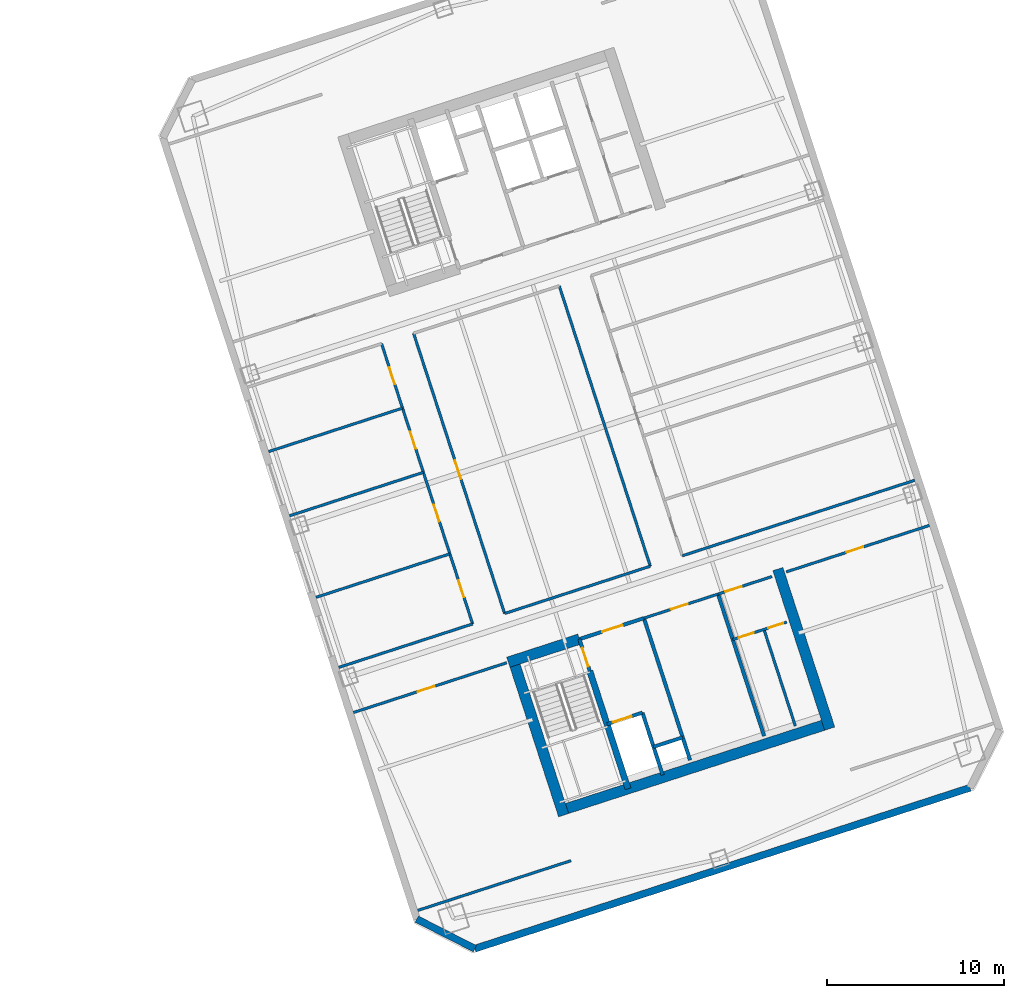
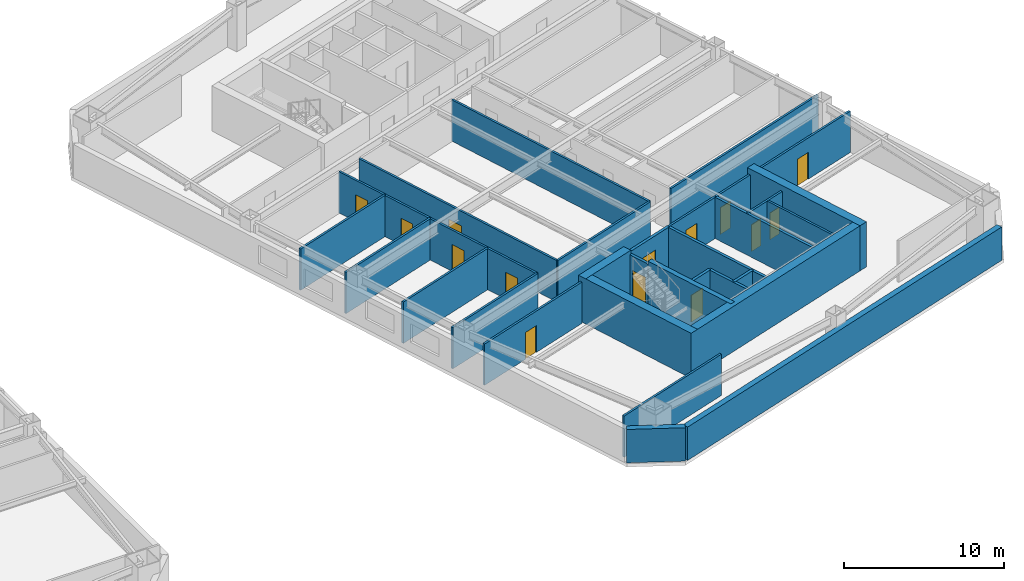
# One storey, part 6 of 11: 30 walls, 14 doors, 14 openings.
"""IFC4 building model written with IfcOpenShell, lengths in metres."""

from ifc_helpers import new_model, si_unit, direction, frame, frame_2d, origin, place, context, subcontext, project, spatial, rectangle, extrude, material, layer, layer_set, type_object, element, fill, save


model = new_model("IFC4")

# Units and contexts
model_context = context("Model", 3, precision=1e-05, world=origin(), true_north=direction((0.0, 1.0)))
body_context = subcontext(model_context, "Body", "Model", "MODEL_VIEW")
ifc_project = project(units=[si_unit("LENGTHUNIT", "METRE"), si_unit("AREAUNIT", "SQUARE_METRE"), si_unit("VOLUMEUNIT", "CUBIC_METRE"), si_unit("PLANEANGLEUNIT", "RADIAN"), si_unit("MASSUNIT", "GRAM", prefix="KILO")], contexts=[model_context])

# Site, building, storey
site_placement = place(None, origin())
site = spatial("IfcSite", under=ifc_project, at=site_placement, CompositionType="ELEMENT")
building_placement = place(site_placement, origin())
building = spatial("IfcBuilding", under=site, at=building_placement, Name="Qiaolan Cultural Towers", CompositionType="ELEMENT")
storey_placement = place(building_placement, frame((0.0, 0.0, 96.60009765625)))
storey = spatial("IfcBuildingStorey", under=building, at=storey_placement, Name="L24", CompositionType="ELEMENT", Elevation=96.60009765625)

# Walls
ifc_material_1 = material(Name="Concrete C50", Category="concrete")
ifc_layer_1 = layer(ifc_material_1, 0.35009765625)
ifc_layer_set_1 = layer_set([ifc_layer_1], Name="Concrete C50")
wall_type_1 = type_object("IfcWallType", Name="WL-CORE-350", PredefinedType="SHEAR", material=ifc_layer_set_1)
wall_1_placement = place(storey_placement, frame((90.486328125, 20.59423828125, 0.0), z_axis=(0.0, 0.0, 1.0), x_axis=(0.309020428229, -0.951055400562, 0.0)))
element("IfcWall", 1, at=wall_1_placement, inside=storey, type_object=wall_type_1, Name="L24 T2-CS Stair Core Dividing Web", PredefinedType="SHEAR", context=body_context, shape_type="SweptSolid", body=[
    extrude(rectangle(XDim=6.97998046875, YDim=0.35009765625, at=frame_2d((3.489990234375, 0.0))), origin(), (0.0, 0.0, 1.0), 3.449951171875),
])
ifc_material_2 = material(Name="Concrete C55", Category="concrete")
ifc_layer_2 = layer(ifc_material_2, 0.60009765625)
ifc_layer_set_2 = layer_set([ifc_layer_2], Name="Concrete C55")
wall_type_2 = type_object("IfcWallType", Name="WL-CORE-600", PredefinedType="SHEAR", material=ifc_layer_set_2)
wall_2_placement = place(storey_placement, frame((88.6298828125, 12.65185546875, 0.0), z_axis=(0.0, 0.0, 1.0), x_axis=(0.95105714907, 0.309015046886, 0.0)))
element("IfcWall", 2, at=wall_2_placement, inside=storey, type_object=wall_type_2, Name="L24 T2-CS Outer Core Shear Wall", PredefinedType="SHEAR", context=body_context, shape_type="SweptSolid", body=[
    extrude(rectangle(XDim=16.400146484375, YDim=0.60009765625, at=frame_2d((8.2001953125, 0.0))), origin(), (0.0, 0.0, 1.0), 3.449951171875),
])
wall_3_placement = place(storey_placement, frame((86.078369140625, 21.47509765625, 0.0), z_axis=(0.0, 0.0, 1.0), x_axis=(0.309017938678, -0.951056209472, 0.0)))
element("IfcWall", 3, at=wall_3_placement, inside=storey, type_object=wall_type_2, Name="L24 T2-CS West Core Shear Wall", PredefinedType="SHEAR", context=body_context, shape_type="SweptSolid", body=[
    extrude(rectangle(XDim=9.479736328125, YDim=0.60009765625, at=frame_2d((4.73974609375, 0.0))), origin(), (0.0, 0.0, 1.0), 3.449951171875),
])
wall_4_placement = place(storey_placement, frame((101.105224609375, 26.357666015625, 0.0), z_axis=(0.0, 0.0, 1.0), x_axis=(0.309010370028, -0.95105866865, 0.0)))
element("IfcWall", 4, at=wall_4_placement, inside=storey, type_object=wall_type_2, Name="L24 T2-CS East Core Shear Wall", PredefinedType="SHEAR", context=body_context, shape_type="SweptSolid", body=[
    extrude(rectangle(XDim=9.47998046875, YDim=0.60009765625, at=frame_2d((4.739990234375, 0.0))), origin(), (0.0, 0.0, 1.0), 3.449951171875),
])
wall_5_placement = place(storey_placement, frame((85.8857421875, 21.09716796875, 0.0), z_axis=(0.0, 0.0, 1.0), x_axis=(0.951068073652, 0.308981422225, 0.0)))
element("IfcWall", 5, at=wall_5_placement, inside=storey, type_object=wall_type_2, Name="L24 T2-CS Stair Front Shear Wall", PredefinedType="SHEAR", context=body_context, shape_type="SweptSolid", body=[
    extrude(rectangle(XDim=4.22021484375, YDim=0.60009765625, at=frame_2d((2.110107421875, 0.0))), origin(), (0.0, 0.0, 1.0), 3.449951171875),
])
ifc_material_3 = material(Name="Precast Concrete C50 Honed Stone Pier", Category="masonry")
ifc_layer_3 = layer(ifc_material_3, 0.39990234375)
ifc_layer_set_3 = layer_set([ifc_layer_3], Name="Precast Concrete C50 Honed Stone Pier")
wall_type_3 = type_object("IfcWallType", Name="WL-EXT-PIER-400", PredefinedType="SOLIDWALL", material=ifc_layer_set_3)
wall_6_placement = place(storey_placement, frame((111.953125, 14.00537109375, 0.0), z_axis=(0.0, 0.0, 1.0), x_axis=(-0.95105505922, -0.309021478754, 0.0)))
element("IfcWall", 6, at=wall_6_placement, inside=storey, type_object=wall_type_3, Name="L24 East Tower Precast Pier Facade Wall F7", PredefinedType="SOLIDWALL", context=body_context, shape_type="SweptSolid", body=[
    extrude(rectangle(XDim=29.39990234375, YDim=0.39990234375, at=frame_2d((14.699951171875, 0.0))), origin(), (0.0, 0.0, 1.0), 2.5498046875),
])
wall_7_placement = place(storey_placement, frame((83.9921875, 4.920166015625, 0.0), z_axis=(0.0, 0.0, 1.0), x_axis=(-0.891001999643, 0.45399937955, 0.0)))
element("IfcWall", 7, at=wall_7_placement, inside=storey, type_object=wall_type_3, Name="L24 East Tower Precast Pier Facade Wall F8", PredefinedType="SOLIDWALL", context=body_context, shape_type="SweptSolid", body=[
    extrude(rectangle(XDim=3.67724609375, YDim=0.39990234375, at=frame_2d((1.838623046875, 0.0))), origin(), (0.0, 0.0, 1.0), 2.5498046875),
])

# Wall, opening, door
ifc_material_4 = material(Name="Concrete C35 Fire Wall", Category="concrete")
ifc_layer_4 = layer(ifc_material_4, 0.199951171875)
ifc_layer_set_4 = layer_set([ifc_layer_4], Name="Concrete C35 Fire Wall")
wall_type_4 = type_object("IfcWallType", Name="WL-FIRE-200", PredefinedType="PARTITIONING", material=ifc_layer_set_4)
wall_8_placement = place(storey_placement, frame((89.8994140625, 22.401123046875, 0.0), z_axis=(0.0, 0.0, 1.0), x_axis=(0.308932062672, -0.951084108086, 0.0)))
wall_8 = element("IfcWall", 8, at=wall_8_placement, inside=storey, type_object=wall_type_4, Name="L24 T2-CS Smokeproof Stair Entry Wall", PredefinedType="PARTITIONING", context=body_context, shape_type="SweptSolid", body=[
    extrude(rectangle(XDim=1.89990234375, YDim=0.199951171875, at=frame_2d((0.949951171875, 0.0))), origin(), (0.0, 0.0, 1.0), 3.15478515625),
])
opening_1_placement = place(wall_8_placement, frame((0.52001953125, 0.0, 0.0)))
opening_1 = element("IfcOpeningElement", 9, at=opening_1_placement, cuts=wall_8, Name="Opening FD-04", PredefinedType="OPENING", context=body_context, shape_type="SweptSolid", body=[
    extrude(rectangle(XDim=1.10009765625, YDim=2.050048828125, at=frame_2d((0.550048828125, 1.02490234375))), frame((0.0, 0.10986328125, 0.0), z_axis=(0.0, -1.0, 0.0), x_axis=(1.0, 0.0, 0.0)), (0.0, 0.0, 1.0), 0.219970703125),
])
ifc_material_5 = material(Name="Galvanized Steel Command Fire Door", Category="steel")
door_type_1 = type_object("IfcDoorType", Name="DR-FD90-1100", OperationType="NOTDEFINED", PredefinedType="DOOR", material=ifc_material_5)
door_1_placement = place(opening_1_placement, origin())
door_1 = element("IfcDoor", 10, at=door_1_placement, inside=storey, type_object=door_type_1, Name="L24 ST-E1 Smokeproof Stair Fire Door", OperationType="SINGLE_SWING_LEFT", OverallHeight=2.050048828125, OverallWidth=1.10009765625, PredefinedType="DOOR", context=body_context, shape_type="SweptSolid", body=[
    extrude(rectangle(XDim=1.10009765625, YDim=2.050048828125, at=frame_2d((0.550048828125, 1.02490234375))), frame((0.0, 0.02490234375, 0.0), z_axis=(0.0, -1.0, 0.0), x_axis=(1.0, 0.0, 0.0)), (0.0, 0.0, 1.0), 0.050048828125),
])
fill(opening_1, door_1)

# Wall
wall_9_placement = place(storey_placement, frame((93.541748046875, 23.584716796875, 0.0), z_axis=(0.0, 0.0, 1.0), x_axis=(0.309042196757, -0.951048327176, 0.0)))
element("IfcWall", 11, at=wall_9_placement, inside=storey, type_object=wall_type_4, Name="L24 T2-CS Firefighting Zone Wall", PredefinedType="PARTITIONING", context=body_context, shape_type="SweptSolid", body=[
    extrude(rectangle(XDim=8.429931640625, YDim=0.199951171875, at=frame_2d((4.21484375, 0.0))), origin(), (0.0, 0.0, 1.0), 3.15478515625),
])

# Wall, opening, door
wall_10_placement = place(storey_placement, frame((89.8994140625, 22.401123046875, 0.0), z_axis=(0.0, 0.0, 1.0), x_axis=(0.951046716504, 0.309047153403, 0.0)))
wall_10 = element("IfcWall", 12, at=wall_10_placement, inside=storey, type_object=wall_type_4, Name="L24 T2-CS Firefighting Lobby Front Wall", PredefinedType="PARTITIONING", context=body_context, shape_type="SweptSolid", body=[
    extrude(rectangle(XDim=3.829833984375, YDim=0.199951171875, at=frame_2d((1.9150390625, 0.0))), origin(), (0.0, 0.0, 1.0), 3.15478515625),
])
opening_2_placement = place(wall_10_placement, frame((1.35009765625, 0.0, 0.0)))
opening_2 = element("IfcOpeningElement", 13, at=opening_2_placement, cuts=wall_10, Name="Opening FD-03", PredefinedType="OPENING", context=body_context, shape_type="SweptSolid", body=[
    extrude(rectangle(XDim=1.199951171875, YDim=2.050048828125, at=frame_2d((0.60009765625, 1.02490234375))), frame((0.0, 0.10986328125, 0.0), z_axis=(0.0, -1.0, 0.0), x_axis=(1.0, 0.0, 0.0)), (0.0, 0.0, 1.0), 0.219970703125),
])
ifc_material_6 = material(Name="Galvanized Steel Smokeproof Lobby Fire Door", Category="steel")
door_type_2 = type_object("IfcDoorType", Name="DR-FD90-1200", OperationType="NOTDEFINED", PredefinedType="DOOR", material=ifc_material_6)
door_2_placement = place(opening_2_placement, origin())
door_2 = element("IfcDoor", 14, at=door_2_placement, inside=storey, type_object=door_type_2, Name="L24 FFL-E1 Firefighting Lobby Fire Door", OperationType="SINGLE_SWING_LEFT", OverallHeight=2.050048828125, OverallWidth=1.199951171875, PredefinedType="DOOR", context=body_context, shape_type="SweptSolid", body=[
    extrude(rectangle(XDim=1.199951171875, YDim=2.050048828125, at=frame_2d((0.60009765625, 1.02490234375))), frame((0.0, 0.02490234375, 0.0), z_axis=(0.0, -1.0, 0.0), x_axis=(1.0, 0.0, 0.0)), (0.0, 0.0, 1.0), 0.050048828125),
])
fill(opening_2, door_2)

wall_11_placement = place(storey_placement, frame((91.459716796875, 17.598388671875, 0.0), z_axis=(0.0, 0.0, 1.0), x_axis=(0.951062257173, 0.308999325213, 0.0)))
wall_11 = element("IfcWall", 15, at=wall_11_placement, inside=storey, type_object=wall_type_4, Name="L24 T2-CS Firefighting Shaft Front Wall", PredefinedType="PARTITIONING", context=body_context, shape_type="SweptSolid", body=[
    extrude(rectangle(XDim=2.10009765625, YDim=0.199951171875, at=frame_2d((1.050048828125, 0.0))), origin(), (0.0, 0.0, 1.0), 3.15478515625),
])
opening_3_placement = place(wall_11_placement, frame((0.35009765625, 0.0, 0.0)))
opening_3 = element("IfcOpeningElement", 16, at=opening_3_placement, cuts=wall_11, Name="Opening LD-01", PredefinedType="OPENING", context=body_context, shape_type="SweptSolid", body=[
    extrude(rectangle(XDim=1.10009765625, YDim=2.050048828125, at=frame_2d((0.550048828125, 1.02490234375))), frame((0.0, 0.10986328125, 0.0), z_axis=(0.0, -1.0, 0.0), x_axis=(1.0, 0.0, 0.0)), (0.0, 0.0, 1.0), 0.219970703125),
])
ifc_material_7 = material(Name="Brushed Stainless Steel S30408 Centre-Parting Lift Landing Door", Category="steel")
door_type_3 = type_object("IfcDoorType", Name="DR-LIFT-1100", OperationType="NOTDEFINED", PredefinedType="DOOR", material=ifc_material_7)
door_3_placement = place(opening_3_placement, origin())
door_3 = element("IfcDoor", 17, at=door_3_placement, inside=storey, type_object=door_type_3, Name="L24 FFL-E1 Firefighting Lift Landing Door", OperationType="DOUBLE_DOOR_SLIDING", OverallHeight=2.050048828125, OverallWidth=1.10009765625, PredefinedType="DOOR", context=body_context, shape_type="SweptSolid", body=[
    extrude(rectangle(XDim=1.10009765625, YDim=2.050048828125, at=frame_2d((0.550048828125, 1.02490234375))), frame((0.0, 0.02490234375, 0.0), z_axis=(0.0, -1.0, 0.0), x_axis=(1.0, 0.0, 0.0)), (0.0, 0.0, 1.0), 0.050048828125),
])
fill(opening_3, door_3)

# Walls
wall_12_placement = place(storey_placement, frame((93.45703125, 18.247314453125, 0.0), z_axis=(0.0, 0.0, 1.0), x_axis=(0.3089935693, -0.951064127245, 0.0)))
element("IfcWall", 18, at=wall_12_placement, inside=storey, type_object=wall_type_4, Name="L24 T2-CS Firefighting Hoistway East Wall", PredefinedType="PARTITIONING", context=body_context, shape_type="SweptSolid", body=[
    extrude(rectangle(XDim=3.7001953125, YDim=0.199951171875, at=frame_2d((1.85009765625, 0.0))), origin(), (0.0, 0.0, 1.0), 3.15478515625),
])
wall_13_placement = place(storey_placement, frame((94.08447265625, 16.316650390625, 0.0), z_axis=(0.0, 0.0, 1.0), x_axis=(0.951041328149, 0.309063734775, 0.0)))
element("IfcWall", 19, at=wall_13_placement, inside=storey, type_object=wall_type_4, Name="L24 T2-CS Pressurization Shaft Front Wall", PredefinedType="PARTITIONING", context=body_context, shape_type="SweptSolid", body=[
    extrude(rectangle(XDim=1.72998046875, YDim=0.199951171875, at=frame_2d((0.864990234375, 0.0))), origin(), (0.0, 0.0, 1.0), 3.15478515625),
])
wall_14_placement = place(storey_placement, frame((97.7265625, 24.9443359375, 0.0), z_axis=(0.0, 0.0, 1.0), x_axis=(0.309016001439, -0.951056838919, 0.0)))
element("IfcWall", 20, at=wall_14_placement, inside=storey, type_object=wall_type_4, Name="L24 T2-CS Lift Core East Wall", PredefinedType="PARTITIONING", context=body_context, shape_type="SweptSolid", body=[
    extrude(rectangle(XDim=8.429931640625, YDim=0.199951171875, at=frame_2d((4.21484375, 0.0))), origin(), (0.0, 0.0, 1.0), 3.15478515625),
])

# Wall, opening, door
ifc_material_8 = material(Name="Autoclaved Aerated Concrete Block B06", Category="concrete")
ifc_layer_5 = layer(ifc_material_8, 0.14990234375)
ifc_layer_set_5 = layer_set([ifc_layer_5], Name="Autoclaved Aerated Concrete Block B06")
wall_type_5 = type_object("IfcWallType", Name="WL-PART-150", PredefinedType="PARTITIONING", material=ifc_layer_set_5)
wall_15_placement = place(storey_placement, frame((93.541748046875, 23.584716796875, 0.0), z_axis=(0.0, 0.0, 1.0), x_axis=(0.951063829732, 0.308994485023, 0.0)))
wall_15 = element("IfcWall", 21, at=wall_15_placement, inside=storey, type_object=wall_type_5, Name="L24 T2-CS Reclaimed Core Room Front Wall", PredefinedType="PARTITIONING", context=body_context, shape_type="SweptSolid", body=[
    extrude(rectangle(XDim=4.400146484375, YDim=0.14990234375, at=frame_2d((2.2001953125, 0.0))), origin(), (0.0, 0.0, 1.0), 3.15478515625),
])
opening_4_placement = place(wall_15_placement, frame((1.60009765625, 0.0, 0.0)))
opening_4 = element("IfcOpeningElement", 22, at=opening_4_placement, cuts=wall_15, Name="Opening ID-04", PredefinedType="OPENING", context=body_context, shape_type="SweptSolid", body=[
    extrude(rectangle(XDim=1.0, YDim=2.050048828125, at=frame_2d((0.5, 1.02490234375))), frame((0.0, 0.0849609375, 0.0), z_axis=(0.0, -1.0, 0.0), x_axis=(1.0, 0.0, 0.0)), (0.0, 0.0, 1.0), 0.169921875),
])
ifc_material_9 = material(Name="Oak Veneer Acoustic Office Door", Category="timber")
door_type_4 = type_object("IfcDoorType", Name="DR-INT-1000", OperationType="NOTDEFINED", PredefinedType="DOOR", material=ifc_material_9)
door_4_placement = place(opening_4_placement, origin())
door_4 = element("IfcDoor", 23, at=door_4_placement, inside=storey, type_object=door_type_4, Name="L24 Reclaimed Archive Room Door", OperationType="SINGLE_SWING_LEFT", OverallHeight=2.050048828125, OverallWidth=1.0, PredefinedType="DOOR", context=body_context, shape_type="SweptSolid", body=[
    extrude(rectangle(XDim=1.0, YDim=2.050048828125, at=frame_2d((0.5, 1.02490234375))), frame((0.0, 0.02490234375, 0.0), z_axis=(0.0, -1.0, 0.0), x_axis=(1.0, 0.0, 0.0)), (0.0, 0.0, 1.0), 0.050048828125),
])
fill(opening_4, door_4)

wall_16_placement = place(storey_placement, frame((97.7265625, 24.9443359375, 0.0), z_axis=(0.0, 0.0, 1.0), x_axis=(0.951036872128, 0.309077446369, 0.0)))
wall_16 = element("IfcWall", 24, at=wall_16_placement, inside=storey, type_object=wall_type_5, Name="L24 T2-CS Sanitary Core Front Wall", PredefinedType="PARTITIONING", context=body_context, shape_type="SweptSolid", body=[
    extrude(rectangle(XDim=3.199951171875, YDim=0.14990234375, at=frame_2d((1.60009765625, 0.0))), origin(), (0.0, 0.0, 1.0), 3.15478515625),
])
opening_5_placement = place(wall_16_placement, frame((0.449951171875, 0.0, 0.0)))
opening_5 = element("IfcOpeningElement", 25, at=opening_5_placement, cuts=wall_16, Name="Opening ID-05", PredefinedType="OPENING", context=body_context, shape_type="SweptSolid", body=[
    extrude(rectangle(XDim=0.949951171875, YDim=2.050048828125, at=frame_2d((0.47509765625, 1.02490234375))), frame((0.0, 0.0849609375, 0.0), z_axis=(0.0, -1.0, 0.0), x_axis=(1.0, 0.0, 0.0)), (0.0, 0.0, 1.0), 0.169921875),
])
ifc_material_10 = material(Name="Fire-Rated Laminate Accessible Core Door", Category="timber")
door_type_5 = type_object("IfcDoorType", Name="DR-INT-950", OperationType="NOTDEFINED", PredefinedType="DOOR", material=ifc_material_10)
door_5_placement = place(opening_5_placement, origin())
door_5 = element("IfcDoor", 26, at=door_5_placement, inside=storey, type_object=door_type_5, Name="L24 Sanitary Vestibule Door", OperationType="SINGLE_SWING_LEFT", OverallHeight=2.050048828125, OverallWidth=0.949951171875, PredefinedType="DOOR", context=body_context, shape_type="SweptSolid", body=[
    extrude(rectangle(XDim=0.949951171875, YDim=2.050048828125, at=frame_2d((0.47509765625, 1.02490234375))), frame((0.0, 0.02490234375, 0.0), z_axis=(0.0, -1.0, 0.0), x_axis=(1.0, 0.0, 0.0)), (0.0, 0.0, 1.0), 0.050048828125),
])
fill(opening_5, door_5)

# Wall, openings, doors
wall_17_placement = place(storey_placement, frame((98.560791015625, 22.37646484375, 0.0), z_axis=(0.0, 0.0, 1.0), x_axis=(0.95104415986, 0.309055020985, 0.0)))
wall_17 = element("IfcWall", 27, at=wall_17_placement, inside=storey, type_object=wall_type_5, Name="L24 T2-CS Restroom Vestibule Wall", PredefinedType="PARTITIONING", context=body_context, shape_type="SweptSolid", body=[
    extrude(rectangle(XDim=3.2001953125, YDim=0.14990234375, at=frame_2d((1.60009765625, 0.0))), origin(), (0.0, 0.0, 1.0), 3.15478515625),
])
opening_6_placement = place(wall_17_placement, frame((0.35009765625, 0.0, 0.0)))
opening_6 = element("IfcOpeningElement", 28, at=opening_6_placement, cuts=wall_17, Name="Opening ID-06", PredefinedType="OPENING", context=body_context, shape_type="SweptSolid", body=[
    extrude(rectangle(XDim=0.89990234375, YDim=2.050048828125, at=frame_2d((0.449951171875, 1.02490234375))), frame((0.0, 0.0849609375, 0.0), z_axis=(0.0, -1.0, 0.0), x_axis=(1.0, 0.0, 0.0)), (0.0, 0.0, 1.0), 0.169921875),
])
opening_7_placement = place(wall_17_placement, frame((2.10009765625, 0.0, 0.0)))
opening_7 = element("IfcOpeningElement", 29, at=opening_7_placement, cuts=wall_17, Name="Opening ID-06", PredefinedType="OPENING", context=body_context, shape_type="SweptSolid", body=[
    extrude(rectangle(XDim=0.89990234375, YDim=2.050048828125, at=frame_2d((0.449951171875, 1.02490234375))), frame((0.0, 0.0849609375, 0.0), z_axis=(0.0, -1.0, 0.0), x_axis=(1.0, 0.0, 0.0)), (0.0, 0.0, 1.0), 0.169921875),
])
ifc_material_11 = material(Name="Fire-Rated Laminate Core Service Door", Category="timber")
door_type_6 = type_object("IfcDoorType", Name="DR-INT-900", OperationType="NOTDEFINED", PredefinedType="DOOR", material=ifc_material_11)
door_6_placement = place(opening_6_placement, origin())
door_6 = element("IfcDoor", 30, at=door_6_placement, inside=storey, type_object=door_type_6, Name="L24 Men Restroom Door", OperationType="SINGLE_SWING_LEFT", OverallHeight=2.050048828125, OverallWidth=0.89990234375, PredefinedType="DOOR", context=body_context, shape_type="SweptSolid", body=[
    extrude(rectangle(XDim=0.89990234375, YDim=2.050048828125, at=frame_2d((0.449951171875, 1.02490234375))), frame((0.0, 0.02490234375, 0.0), z_axis=(0.0, -1.0, 0.0), x_axis=(1.0, 0.0, 0.0)), (0.0, 0.0, 1.0), 0.050048828125),
])
fill(opening_6, door_6)
door_7_placement = place(opening_7_placement, origin())
door_7 = element("IfcDoor", 31, at=door_7_placement, inside=storey, type_object=door_type_6, Name="L24 Accessible & Women Restroom Door", OperationType="SINGLE_SWING_RIGHT", OverallHeight=2.050048828125, OverallWidth=0.89990234375, PredefinedType="DOOR", context=body_context, shape_type="SweptSolid", body=[
    extrude(rectangle(XDim=0.89990234375, YDim=2.050048828125, at=frame_2d((0.449951171875, 1.02490234375))), frame((0.0, 0.02490234375, 0.0), z_axis=(0.0, -1.0, 0.0), x_axis=(1.0, 0.0, 0.0)), (0.0, 0.0, 1.0), 0.050048828125),
])
fill(opening_7, door_7)

# Walls
wall_18_placement = place(storey_placement, frame((100.3203125, 22.9482421875, 0.0), z_axis=(0.0, 0.0, 1.0), x_axis=(0.309035009867, -0.951050662518, 0.0)))
element("IfcWall", 32, at=wall_18_placement, inside=storey, type_object=wall_type_5, Name="L24 T2-CS Restroom Divider Wall", PredefinedType="PARTITIONING", context=body_context, shape_type="SweptSolid", body=[
    extrude(rectangle(XDim=5.72998046875, YDim=0.14990234375, at=frame_2d((2.864990234375, 0.0))), origin(), (0.0, 0.0, 1.0), 3.15478515625),
])
wall_19_placement = place(storey_placement, frame((80.76708984375, 7.079345703125, 0.0), z_axis=(0.0, 0.0, 1.0), x_axis=(0.951057133767, 0.309015093986, 0.0)))
element("IfcWall", 33, at=wall_19_placement, inside=storey, type_object=wall_type_5, Name="L24 T2 Flank Wall FLK-SW", PredefinedType="PARTITIONING", context=body_context, shape_type="SweptSolid", body=[
    extrude(rectangle(XDim=9.099853515625, YDim=0.14990234375, at=frame_2d((4.5498046875, 0.0))), origin(), (0.0, 0.0, 1.0), 3.15478515625),
])

# Wall, opening, door
wall_20_placement = place(storey_placement, frame((77.13623046875, 18.254150390625, 0.0), z_axis=(0.0, 0.0, 1.0), x_axis=(0.951057133767, 0.309015093986, 0.0)))
wall_20 = element("IfcWall", 34, at=wall_20_placement, inside=storey, type_object=wall_type_5, Name="L24 T2 Flank Front FLK-SW", PredefinedType="PARTITIONING", context=body_context, shape_type="SweptSolid", body=[
    extrude(rectangle(XDim=9.099853515625, YDim=0.14990234375, at=frame_2d((4.5498046875, 0.0))), origin(), (0.0, 0.0, 1.0), 3.15478515625),
])
opening_8_placement = place(wall_20_placement, frame((3.822021484375, 0.0, 0.0)))
opening_8 = element("IfcOpeningElement", 35, at=opening_8_placement, cuts=wall_20, Name="Opening ID-04", PredefinedType="OPENING", context=body_context, shape_type="SweptSolid", body=[
    extrude(rectangle(XDim=1.0, YDim=2.050048828125, at=frame_2d((0.5, 1.02490234375))), frame((0.0, 0.0849609375, 0.0), z_axis=(0.0, -1.0, 0.0), x_axis=(1.0, 0.0, 0.0)), (0.0, 0.0, 1.0), 0.169921875),
])
door_8_placement = place(opening_8_placement, origin())
door_8 = element("IfcDoor", 36, at=door_8_placement, inside=storey, type_object=door_type_4, Name="L24 T2 Corner Studio Door", OperationType="SINGLE_SWING_LEFT", OverallHeight=2.050048828125, OverallWidth=1.0, PredefinedType="DOOR", context=body_context, shape_type="SweptSolid", body=[
    extrude(rectangle(XDim=1.0, YDim=2.050048828125, at=frame_2d((0.5, 1.02490234375))), frame((0.0, 0.02490234375, 0.0), z_axis=(0.0, -1.0, 0.0), x_axis=(1.0, 0.0, 0.0)), (0.0, 0.0, 1.0), 0.050048828125),
])
fill(opening_8, door_8)

wall_21_placement = place(storey_placement, frame((101.578369140625, 26.196044921875, 0.0), z_axis=(0.0, 0.0, 1.0), x_axis=(0.951062770994, 0.308997743729, 0.0)))
wall_21 = element("IfcWall", 37, at=wall_21_placement, inside=storey, type_object=wall_type_5, Name="L24 T2 Flank Front FLK-SE", PredefinedType="PARTITIONING", context=body_context, shape_type="SweptSolid", body=[
    extrude(rectangle(XDim=8.5, YDim=0.14990234375, at=frame_2d((4.25, 0.0))), origin(), (0.0, 0.0, 1.0), 3.15478515625),
])
opening_9_placement = place(wall_21_placement, frame((3.570068359375, 0.0, 0.0)))
opening_9 = element("IfcOpeningElement", 38, at=opening_9_placement, cuts=wall_21, Name="Opening ID-04", PredefinedType="OPENING", context=body_context, shape_type="SweptSolid", body=[
    extrude(rectangle(XDim=1.0, YDim=2.050048828125, at=frame_2d((0.5, 1.02490234375))), frame((0.0, 0.0849609375, 0.0), z_axis=(0.0, -1.0, 0.0), x_axis=(1.0, 0.0, 0.0)), (0.0, 0.0, 1.0), 0.169921875),
])
door_9_placement = place(opening_9_placement, origin())
door_9 = element("IfcDoor", 39, at=door_9_placement, inside=storey, type_object=door_type_4, Name="L24 T2 Corner Studio Door", OperationType="SINGLE_SWING_LEFT", OverallHeight=2.050048828125, OverallWidth=1.0, PredefinedType="DOOR", context=body_context, shape_type="SweptSolid", body=[
    extrude(rectangle(XDim=1.0, YDim=2.050048828125, at=frame_2d((0.5, 1.02490234375))), frame((0.0, 0.02490234375, 0.0), z_axis=(0.0, -1.0, 0.0), x_axis=(1.0, 0.0, 0.0)), (0.0, 0.0, 1.0), 0.050048828125),
])
fill(opening_9, door_9)

# Walls
wall_22_placement = place(storey_placement, frame((76.307861328125, 20.802978515625, 0.0), z_axis=(0.0, 0.0, 1.0), x_axis=(0.95105437725, 0.3090235776, 0.0)))
element("IfcWall", 40, at=wall_22_placement, inside=storey, type_object=wall_type_5, Name="L24 T2 Interior Wall", PredefinedType="PARTITIONING", context=body_context, shape_type="SweptSolid", body=[
    extrude(rectangle(XDim=7.9501953125, YDim=0.14990234375, at=frame_2d((3.97509765625, 0.0))), origin(), (0.0, 0.0, 1.0), 3.15478515625),
])
wall_23_placement = place(storey_placement, frame((85.67578125, 23.846923828125, 0.0), z_axis=(0.0, 0.0, 1.0), x_axis=(0.951063309554, 0.308996086091, 0.0)))
element("IfcWall", 41, at=wall_23_placement, inside=storey, type_object=wall_type_5, Name="L24 T2 Interior Wall", PredefinedType="PARTITIONING", context=body_context, shape_type="SweptSolid", body=[
    extrude(rectangle(XDim=8.650146484375, YDim=0.14990234375, at=frame_2d((4.3251953125, 0.0))), origin(), (0.0, 0.0, 1.0), 3.15478515625),
])
wall_24_placement = place(storey_placement, frame((95.70947265625, 27.10693359375, 0.0), z_axis=(0.0, 0.0, 1.0), x_axis=(0.951056688031, 0.309016465825, 0.0)))
element("IfcWall", 42, at=wall_24_placement, inside=storey, type_object=wall_type_5, Name="L24 T2 Interior Wall", PredefinedType="PARTITIONING", context=body_context, shape_type="SweptSolid", body=[
    extrude(rectangle(XDim=13.7998046875, YDim=0.14990234375, at=frame_2d((6.89990234375, 0.0))), origin(), (0.0, 0.0, 1.0), 3.15478515625),
])

# Wall, openings, doors
wall_25_placement = place(storey_placement, frame((83.868896484375, 23.259765625, 0.0), z_axis=(0.0, 0.0, 1.0), x_axis=(-0.309022042254, 0.951054876125, 0.0)))
wall_25 = element("IfcWall", 43, at=wall_25_placement, inside=storey, type_object=wall_type_5, Name="L24 T2 Interior Wall", PredefinedType="PARTITIONING", context=body_context, shape_type="SweptSolid", body=[
    extrude(rectangle(XDim=16.639892578125, YDim=0.14990234375, at=frame_2d((8.31982421875, 0.0))), origin(), (0.0, 0.0, 1.0), 3.15478515625),
])
opening_10_placement = place(wall_25_placement, frame((1.580078125, 0.0, 0.0)))
opening_10 = element("IfcOpeningElement", 44, at=opening_10_placement, cuts=wall_25, Name="Opening ID-04", PredefinedType="OPENING", context=body_context, shape_type="SweptSolid", body=[
    extrude(rectangle(XDim=1.0, YDim=2.050048828125, at=frame_2d((0.5, 1.02490234375))), frame((0.0, 0.0849609375, 0.0), z_axis=(0.0, -1.0, 0.0), x_axis=(1.0, 0.0, 0.0)), (0.0, 0.0, 1.0), 0.169921875),
])
opening_11_placement = place(wall_25_placement, frame((6.080078125, 0.0, 0.0)))
opening_11 = element("IfcOpeningElement", 45, at=opening_11_placement, cuts=wall_25, Name="Opening ID-04", PredefinedType="OPENING", context=body_context, shape_type="SweptSolid", body=[
    extrude(rectangle(XDim=1.0, YDim=2.050048828125, at=frame_2d((0.5, 1.02490234375))), frame((0.0, 0.0849609375, 0.0), z_axis=(0.0, -1.0, 0.0), x_axis=(1.0, 0.0, 0.0)), (0.0, 0.0, 1.0), 0.169921875),
])
opening_12_placement = place(wall_25_placement, frame((10.406494140625, 0.0, 0.0)))
opening_12 = element("IfcOpeningElement", 46, at=opening_12_placement, cuts=wall_25, Name="Opening ID-04", PredefinedType="OPENING", context=body_context, shape_type="SweptSolid", body=[
    extrude(rectangle(XDim=1.0, YDim=2.050048828125, at=frame_2d((0.5, 1.02490234375))), frame((0.0, 0.0849609375, 0.0), z_axis=(0.0, -1.0, 0.0), x_axis=(1.0, 0.0, 0.0)), (0.0, 0.0, 1.0), 0.169921875),
])
opening_13_placement = place(wall_25_placement, frame((14.226318359375, 0.0, 0.0)))
opening_13 = element("IfcOpeningElement", 47, at=opening_13_placement, cuts=wall_25, Name="Opening ID-04", PredefinedType="OPENING", context=body_context, shape_type="SweptSolid", body=[
    extrude(rectangle(XDim=1.0, YDim=2.050048828125, at=frame_2d((0.5, 1.02490234375))), frame((0.0, 0.0849609375, 0.0), z_axis=(0.0, -1.0, 0.0), x_axis=(1.0, 0.0, 0.0)), (0.0, 0.0, 1.0), 0.169921875),
])
door_10_placement = place(opening_10_placement, origin())
door_10 = element("IfcDoor", 48, at=door_10_placement, inside=storey, type_object=door_type_4, Name="L24 T2 Rare Books Reading Room Door", OperationType="SINGLE_SWING_LEFT", OverallHeight=2.050048828125, OverallWidth=1.0, PredefinedType="DOOR", context=body_context, shape_type="SweptSolid", body=[
    extrude(rectangle(XDim=1.0, YDim=2.050048828125, at=frame_2d((0.5, 1.02490234375))), frame((0.0, 0.02490234375, 0.0), z_axis=(0.0, -1.0, 0.0), x_axis=(1.0, 0.0, 0.0)), (0.0, 0.0, 1.0), 0.050048828125),
])
fill(opening_10, door_10)
door_11_placement = place(opening_11_placement, origin())
door_11 = element("IfcDoor", 49, at=door_11_placement, inside=storey, type_object=door_type_4, Name="L24 T2 Rare Books Reading Room Door", OperationType="SINGLE_SWING_RIGHT", OverallHeight=2.050048828125, OverallWidth=1.0, PredefinedType="DOOR", context=body_context, shape_type="SweptSolid", body=[
    extrude(rectangle(XDim=1.0, YDim=2.050048828125, at=frame_2d((0.5, 1.02490234375))), frame((0.0, 0.02490234375, 0.0), z_axis=(0.0, -1.0, 0.0), x_axis=(1.0, 0.0, 0.0)), (0.0, 0.0, 1.0), 0.050048828125),
])
fill(opening_11, door_11)
door_12_placement = place(opening_12_placement, origin())
door_12 = element("IfcDoor", 50, at=door_12_placement, inside=storey, type_object=door_type_4, Name="L24 T2 Rare Books Reading Room Door", OperationType="SINGLE_SWING_LEFT", OverallHeight=2.050048828125, OverallWidth=1.0, PredefinedType="DOOR", context=body_context, shape_type="SweptSolid", body=[
    extrude(rectangle(XDim=1.0, YDim=2.050048828125, at=frame_2d((0.5, 1.02490234375))), frame((0.0, 0.02490234375, 0.0), z_axis=(0.0, -1.0, 0.0), x_axis=(1.0, 0.0, 0.0)), (0.0, 0.0, 1.0), 0.050048828125),
])
fill(opening_12, door_12)
door_13_placement = place(opening_13_placement, origin())
door_13 = element("IfcDoor", 51, at=door_13_placement, inside=storey, type_object=door_type_4, Name="L24 T2 Manuscript Salon Door", OperationType="SINGLE_SWING_RIGHT", OverallHeight=2.050048828125, OverallWidth=1.0, PredefinedType="DOOR", context=body_context, shape_type="SweptSolid", body=[
    extrude(rectangle(XDim=1.0, YDim=2.050048828125, at=frame_2d((0.5, 1.02490234375))), frame((0.0, 0.02490234375, 0.0), z_axis=(0.0, -1.0, 0.0), x_axis=(1.0, 0.0, 0.0)), (0.0, 0.0, 1.0), 0.050048828125),
])
fill(opening_13, door_13)

# Wall, opening, door
wall_26_placement = place(storey_placement, frame((85.67578125, 23.846923828125, 0.0), z_axis=(0.0, 0.0, 1.0), x_axis=(-0.309008771245, 0.951059188113, 0.0)))
wall_26 = element("IfcWall", 52, at=wall_26_placement, inside=storey, type_object=wall_type_5, Name="L24 T2 Interior Wall", PredefinedType="PARTITIONING", context=body_context, shape_type="SweptSolid", body=[
    extrude(rectangle(XDim=16.639892578125, YDim=0.14990234375, at=frame_2d((8.31982421875, 0.0))), origin(), (0.0, 0.0, 1.0), 3.15478515625),
])
opening_14_placement = place(wall_26_placement, frame((7.9873046875, 0.0, 0.0)))
opening_14 = element("IfcOpeningElement", 53, at=opening_14_placement, cuts=wall_26, Name="Opening ID-03", PredefinedType="OPENING", context=body_context, shape_type="SweptSolid", body=[
    extrude(rectangle(XDim=1.10009765625, YDim=2.050048828125, at=frame_2d((0.550048828125, 1.02490234375))), frame((0.0, 0.0849609375, 0.0), z_axis=(0.0, -1.0, 0.0), x_axis=(1.0, 0.0, 0.0)), (0.0, 0.0, 1.0), 0.169921875),
])
ifc_material_12 = material(Name="Oak Veneer Solid-Core Boardroom Door", Category="timber")
door_type_7 = type_object("IfcDoorType", Name="DR-INT-1100", OperationType="NOTDEFINED", PredefinedType="DOOR", material=ifc_material_12)
door_14_placement = place(opening_14_placement, origin())
door_14 = element("IfcDoor", 54, at=door_14_placement, inside=storey, type_object=door_type_7, Name="L24 T2 Central Colloquium Hall Door", OperationType="SINGLE_SWING_LEFT", OverallHeight=2.050048828125, OverallWidth=1.10009765625, PredefinedType="DOOR", context=body_context, shape_type="SweptSolid", body=[
    extrude(rectangle(XDim=1.10009765625, YDim=2.050048828125, at=frame_2d((0.550048828125, 1.02490234375))), frame((0.0, 0.02490234375, 0.0), z_axis=(0.0, -1.0, 0.0), x_axis=(1.0, 0.0, 0.0)), (0.0, 0.0, 1.0), 0.050048828125),
])
fill(opening_14, door_14)

# Walls
wall_27_placement = place(storey_placement, frame((93.902587890625, 26.519775390625, 0.0), z_axis=(0.0, 0.0, 1.0), x_axis=(-0.30901773025, 0.951056277195, 0.0)))
element("IfcWall", 55, at=wall_27_placement, inside=storey, type_object=wall_type_5, Name="L24 T2 Interior Wall", PredefinedType="PARTITIONING", context=body_context, shape_type="SweptSolid", body=[
    extrude(rectangle(XDim=16.64013671875, YDim=0.14990234375, at=frame_2d((8.320068359375, 0.0))), origin(), (0.0, 0.0, 1.0), 3.15478515625),
])
for number, where, z_axis, x_axis, name in (
    (56, (75.0224609375, 24.759521484375, 0.0), (0.0, 0.0, 1.0), (0.951060470027, 0.309004825775, 0.0), "L24 T2 Interior Wall"),
    (57, (73.52685546875, 29.362548828125, 0.0), (0.0, 0.0, 1.0), (0.951060470027, 0.309004825775, 0.0), "L24 T2 Interior Wall"),
    (58, (72.3486328125, 32.98876953125, 0.0), (0.0, 0.0, 1.0), (0.951060470027, 0.309004825775, 0.0), "L24 T2 Interior Wall"),
):
    element("IfcWall", number, at=place(storey_placement, frame(where, z_axis=z_axis, x_axis=x_axis)), inside=storey, type_object=wall_type_5, Name=name, PredefinedType="PARTITIONING", context=body_context, shape_type="SweptSolid", body=[
        extrude(rectangle(XDim=7.949951171875, YDim=0.14990234375, at=frame_2d((3.97509765625, 0.0))), origin(), (0.0, 0.0, 1.0), 3.15478515625),
    ])

save(model, "model.ifc")
